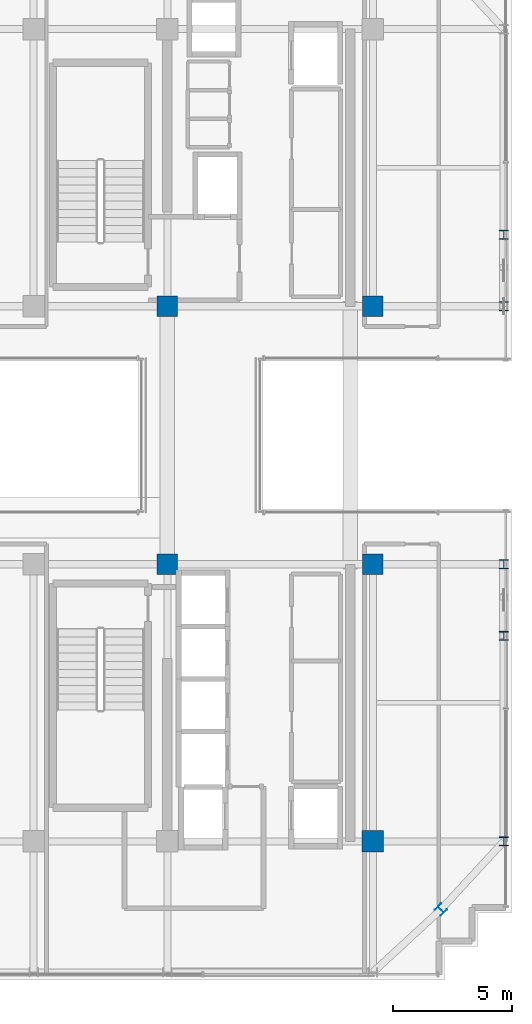
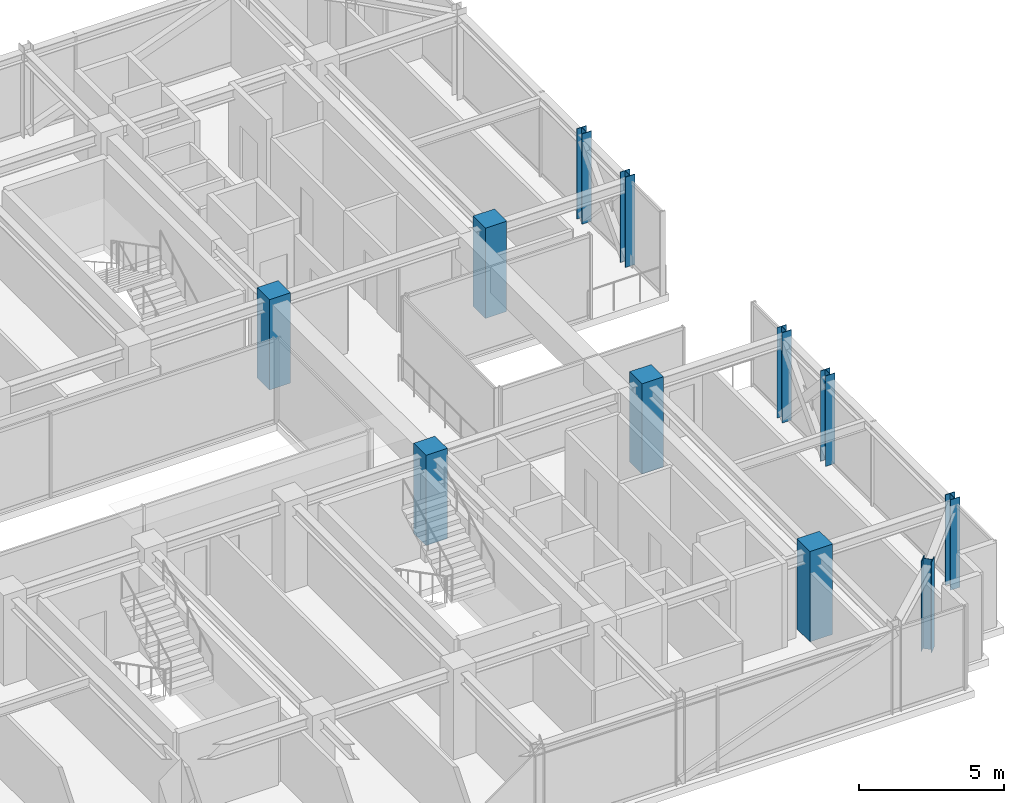
# One storey, part 2 of 41: 11 columns.
"""IFC4 building model written with IfcOpenShell, lengths in metres."""

from ifc_helpers import new_model, si_unit, direction, frame, origin, origin_2d, place, context, subcontext, project, spatial, rectangle, i_section, extrude, source, transform, mapped, material, material_profile, profile_set, type_object, element, save


model = new_model("IFC4")

# Units and contexts
model_context = context("Model", 3, precision=1e-05, world=origin(), true_north=direction((0.0, 1.0)))
body_context = subcontext(model_context, "Body", "Model", "MODEL_VIEW")
ifc_project = project(units=[si_unit("LENGTHUNIT", "METRE"), si_unit("AREAUNIT", "SQUARE_METRE"), si_unit("VOLUMEUNIT", "CUBIC_METRE"), si_unit("PLANEANGLEUNIT", "RADIAN"), si_unit("MASSUNIT", "GRAM", prefix="KILO")], contexts=[model_context])

# Site, building, storey
site_placement = place(None, origin())
site = spatial("IfcSite", under=ifc_project, at=site_placement, CompositionType="ELEMENT")
building_placement = place(site_placement, origin())
building = spatial("IfcBuilding", under=site, at=building_placement, Name="Nahalor Promenade Grand Hotel", CompositionType="ELEMENT")
storey_placement = place(building_placement, frame((0.0, 0.0, 304.199951171875)))
storey = spatial("IfcBuildingStorey", under=building, at=storey_placement, Name="L78", CompositionType="ELEMENT", Elevation=304.199951171875)

# Columns
ifc_material_1 = material(Name="Concrete B-50 (C40/50)", Category="concrete")
ifc_material_profile_1 = material_profile(ifc_material_1, rectangle(XDim=0.9, YDim=0.9, at=origin_2d()), Name="RC 900x900")
ifc_profile_set_1 = profile_set([ifc_material_profile_1], Name="Concrete B-50 (C40/50)")
column_type_1 = type_object("IfcColumnType", Name="Col-RC-900", PredefinedType="COLUMN", material=ifc_profile_set_1)
shared_shape_1 = source(origin(), body_context, "Body", "SweptSolid", [
    extrude(rectangle(XDim=0.9, YDim=0.9, at=origin_2d()), origin(), (0.0, 0.0, 1.0), 3.804931640625),
])
column_placement = place(storey_placement, frame((17.0, -17.0, 0.0), z_axis=(0.0, 0.0, 1.0), x_axis=(1.0, 0.0, 0.0)))
element("IfcColumn", 1, at=column_placement, inside=storey, type_object=column_type_1, Name="COL-L78-I50", PredefinedType="COLUMN", context=body_context, shape_type="MappedRepresentation", body=[
    mapped(shared_shape_1, transform((0.0, 0.0, 0.0), scale=1.0)),
])
ifc_material_2 = material(Name="Concrete B-70 (C60/75)", Category="concrete")
ifc_material_profile_2 = material_profile(ifc_material_2, rectangle(XDim=0.85, YDim=0.85, at=origin_2d()), Name="RC 850x850")
ifc_profile_set_2 = profile_set([ifc_material_profile_2], Name="Concrete B-70 (C60/75)")
column_type_2 = type_object("IfcColumnType", Name="Col-Pilaster-850", PredefinedType="PILASTER", material=ifc_profile_set_2)
shared_shape_2 = source(origin(), body_context, "Body", "SweptSolid", [
    extrude(rectangle(XDim=0.85, YDim=0.85, at=origin_2d()), origin(), (0.0, 0.0, 1.0), 3.804931640625),
])
for number, where, z_axis, x_axis, name in (
    (2, (8.39990234375, -5.39990234375, 0.0), (0.0, 0.0, 1.0), (1.0, 0.0, 0.0), "COL-L78-I41"),
    (3, (8.39990234375, 5.39990234375, 0.0), (0.0, 0.0, 1.0), (1.0, 0.0, 0.0), "COL-L78-I42"),
    (4, (17.0, -5.39990234375, 0.0), (0.0, 0.0, 1.0), (1.0, 0.0, 0.0), "COL-L78-I51"),
    (5, (17.0, 5.39990234375, 0.0), (0.0, 0.0, 1.0), (1.0, 0.0, 0.0), "COL-L78-I52"),
):
    element("IfcColumn", number, at=place(storey_placement, frame(where, z_axis=z_axis, x_axis=x_axis)), inside=storey, type_object=column_type_2, Name=name, PredefinedType="PILASTER", context=body_context, shape_type="MappedRepresentation", body=[
        mapped(shared_shape_2, transform((0.0, 0.0, 0.0), scale=1.0)),
    ])
ifc_material_3 = material(Name="Steel S355JR", Category="steel")
ifc_material_profile_3 = material_profile(ifc_material_3, i_section(OverallWidth=0.374, OverallDepth=0.374, WebThickness=0.0144, FlangeThickness=0.0229, at=origin_2d()), Name="HD 360x262")
ifc_profile_set_3 = profile_set([ifc_material_profile_3], Name="Steel S355JR")
column_type_3 = type_object("IfcColumnType", Name="Col-Steel-HD262", PredefinedType="COLUMN", material=ifc_profile_set_3)
shared_shape_3 = source(origin(), body_context, "Body", "SweptSolid", [
    extrude(i_section(OverallWidth=0.374, OverallDepth=0.374, WebThickness=0.0144, FlangeThickness=0.0229, at=origin_2d()), origin(), (0.0, 0.0, 1.0), 3.804931640625),
])
for number, where, z_axis, x_axis, name in (
    (6, (22.47998046875, -17.0, 0.0), (0.0, 0.0, 1.0), (1.0, 0.0, 0.0), "COL-L78-PW-E0"),
    (7, (22.47998046875, -8.39990234375, 0.0), (0.0, 0.0, 1.0), (1.0, 0.0, 0.0), "COL-L78-PW-E1"),
    (8, (22.47998046875, -5.39990234375, 0.0), (0.0, 0.0, 1.0), (1.0, 0.0, 0.0), "COL-L78-PW-E2"),
    (9, (22.47998046875, 5.39990234375, 0.0), (0.0, 0.0, 1.0), (1.0, 0.0, 0.0), "COL-L78-PW-E3"),
    (10, (22.47998046875, 8.39990234375, 0.0), (0.0, 0.0, 1.0), (1.0, 0.0, 0.0), "COL-L78-PW-E4"),
    (11, (19.85009765625, -19.85009765625, 0.0), (0.0, 0.0, 1.0), (0.707106781187, 0.707106781187, 0.0), "COL-L78-CRN-SE"),
):
    element("IfcColumn", number, at=place(storey_placement, frame(where, z_axis=z_axis, x_axis=x_axis)), inside=storey, type_object=column_type_3, Name=name, PredefinedType="COLUMN", context=body_context, shape_type="MappedRepresentation", body=[
        mapped(shared_shape_3, transform((0.0, 0.0, 0.0), scale=1.0)),
    ])

save(model, "model.ifc")
